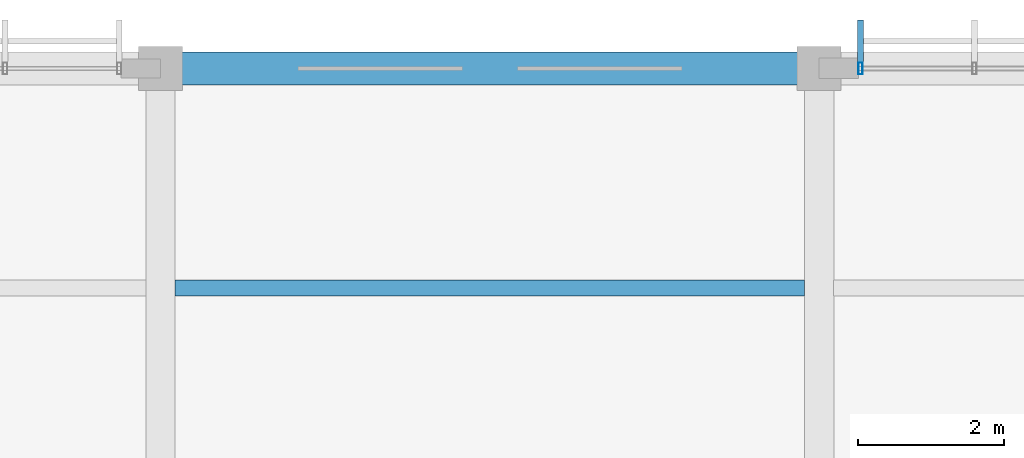
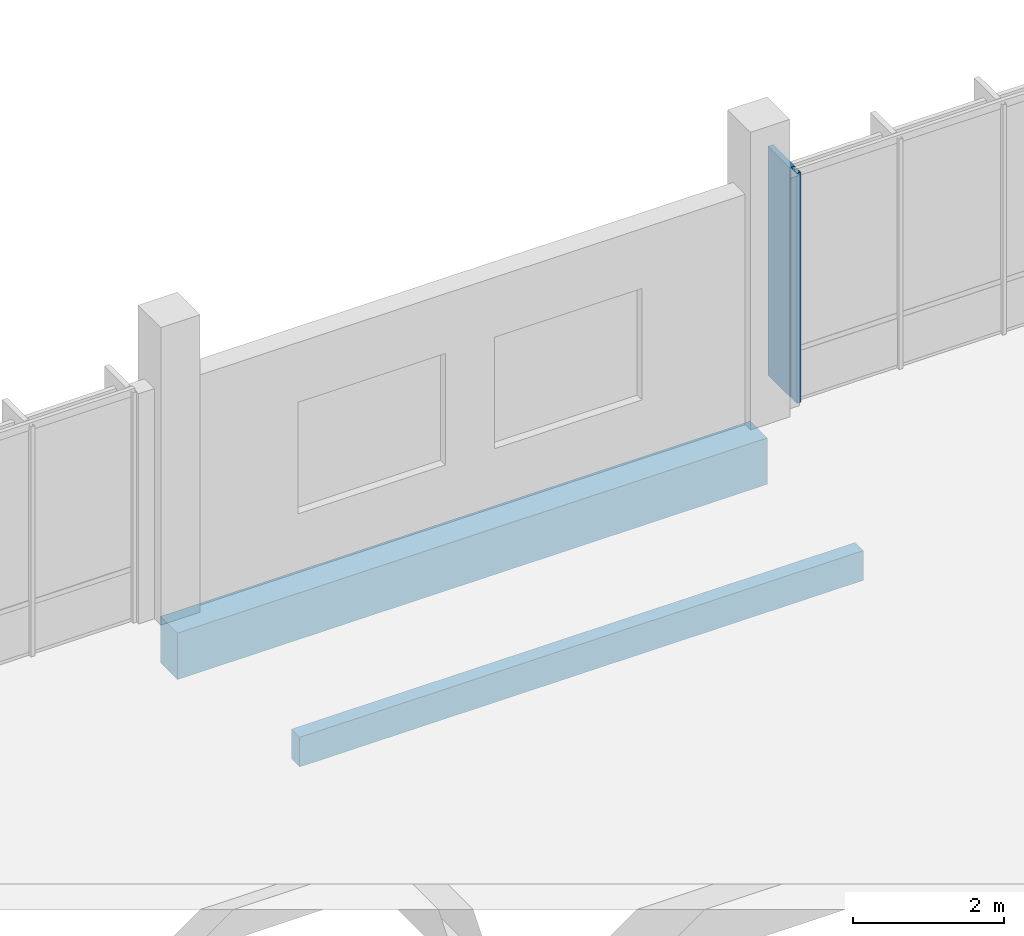
# One storey, part 126 of 177: 2 beams, 2 members, 1 element without a shape of its own.
"""IFC4 building model written with IfcOpenShell, lengths in metres."""

from ifc_helpers import new_model, si_unit, direction, frame, origin, origin_2d, place, context, subcontext, project, spatial, rectangle, hollow_rectangle, extrude, material, material_profile, profile_set, type_object, element, aggregate, save


model = new_model("IFC4")

# Units and contexts
model_context = context("Model", 3, precision=1e-05, world=origin(), true_north=direction((0.0, 1.0)))
body_context = subcontext(model_context, "Body", "Model", "MODEL_VIEW")
ifc_project = project(units=[si_unit("LENGTHUNIT", "METRE"), si_unit("AREAUNIT", "SQUARE_METRE"), si_unit("VOLUMEUNIT", "CUBIC_METRE"), si_unit("PLANEANGLEUNIT", "RADIAN"), si_unit("MASSUNIT", "GRAM", prefix="KILO")], contexts=[model_context])

# Site, building, storey
site_placement = place(None, origin())
site = spatial("IfcSite", under=ifc_project, at=site_placement, CompositionType="ELEMENT")
building_placement = place(site_placement, origin())
building = spatial("IfcBuilding", under=site, at=building_placement, Name="Chiffa Square Polytechnic", CompositionType="ELEMENT")
storey_placement = place(building_placement, frame((0.0, 0.0, 4.800048828125)))
storey = spatial("IfcBuildingStorey", under=building, at=storey_placement, Name="L01", CompositionType="ELEMENT", Elevation=4.800048828125)

# Beam
ifc_material_1 = material(Name="Concrete C35/45", Category="concrete")
ifc_material_profile_1 = material_profile(ifc_material_1, rectangle(XDim=0.449951171875, YDim=0.75, at=origin_2d()), Name="RC 450x750")
ifc_profile_set_1 = profile_set([ifc_material_profile_1], Name="Concrete C35/45")
beam_type_1 = type_object("IfcBeamType", Name="BM-RC-450X750", PredefinedType="BEAM", material=ifc_profile_set_1)
beam_1_placement = place(storey_placement, frame((93.60009765625, 130.800048828125, -0.655029296875), z_axis=(1.0, 0.0, 0.0), x_axis=(0.0, 1.0, 0.0)))
element("IfcBeam", 1, at=beam_1_placement, inside=storey, type_object=beam_type_1, Name="Primary floor girder BM-V5-L01-X-0936-1308", PredefinedType="BEAM", context=body_context, shape_type="SweptSolid", body=[
    extrude(rectangle(XDim=0.449951171875, YDim=0.75, at=origin_2d()), origin(), (0.0, 0.0, 1.0), 9.0),
])

# Curtain wall, members
ifc_material_2 = material(Name="Aluminium EN AW-6060 T66 and glulam shading", Category="wood")
curtain_wall_type = type_object("IfcCurtainWallType", Name="CW-VERT-360X380", PredefinedType="USERDEFINED", material=ifc_material_2)
curtain_wall_placement = place(storey_placement, origin())
curtain_wall = element("IfcCurtainWall", 2, at=curtain_wall_placement, inside=storey, type_object=curtain_wall_type, Name="Curtain wall CW-V5-L01-205", ObjectType="CURTAIN WALL", PredefinedType="USERDEFINED")
ifc_material_3 = material(Name="Aluminium EN AW-6060 T66", Category="aluminium")
ifc_material_profile_2 = material_profile(ifc_material_3, hollow_rectangle(XDim=0.06005859375, YDim=0.159912109375, WallThickness=0.00390625, at=origin_2d()), Name="ALU 60x160x4")
ifc_profile_set_2 = profile_set([ifc_material_profile_2], Name="Aluminium EN AW-6060 T66")
member_type_1 = type_object("IfcMemberType", Name="CWM-ALU-65X150", PredefinedType="MULLION", material=ifc_profile_set_2)
member_1_placement = place(storey_placement, frame((103.1650390625, 130.800048828125, 0.0), z_axis=(0.0, 0.0, 1.0), x_axis=(1.0, 0.0, 0.0)))
member_1 = element("IfcMember", 3, at=member_1_placement, type_object=member_type_1, Name="Curtain wall mullion CW-V5-L01-205-M05", PredefinedType="MULLION", context=body_context, shape_type="SweptSolid", body=[
    extrude(hollow_rectangle(XDim=0.06005859375, YDim=0.159912109375, WallThickness=0.00390625, at=origin_2d()), origin(), (0.0, 0.0, 1.0), 3.71484375),
])
ifc_material_4 = material(Name="Glulam GL28h", Category="wood")
ifc_material_profile_3 = material_profile(ifc_material_4, rectangle(XDim=0.080078125, YDim=0.580078125, at=origin_2d()), Name="GL28h 80x580")
ifc_profile_set_3 = profile_set([ifc_material_profile_3], Name="Glulam GL28h")
member_type_2 = type_object("IfcMemberType", Name="CWM-GL-80X580", PredefinedType="MULLION", material=ifc_profile_set_3)
member_2_placement = place(storey_placement, frame((103.1650390625, 131.172119140625, 0.010009765625), z_axis=(0.0, 0.0, 1.0), x_axis=(-1.0, 0.0, 0.0)))
member_2 = element("IfcMember", 4, at=member_2_placement, type_object=member_type_2, Name="Exterior glulam solar fin CW-V5-L01-205-FN05", PredefinedType="MULLION", context=body_context, shape_type="SweptSolid", body=[
    extrude(rectangle(XDim=0.080078125, YDim=0.580078125, at=origin_2d()), origin(), (0.0, 0.0, 1.0), 3.69482421875),
])
aggregate(curtain_wall, [member_1, member_2])

# Beam
ifc_material_profile_4 = material_profile(ifc_material_4, rectangle(XDim=0.219970703125, YDim=0.47998046875, at=origin_2d()), Name="GL28h 220x480")
ifc_profile_set_4 = profile_set([ifc_material_profile_4], Name="Glulam GL28h")
beam_type_2 = type_object("IfcBeamType", Name="JST-GL-220X480", PredefinedType="JOIST", material=ifc_profile_set_4)
beam_2_placement = place(storey_placement, frame((93.798095703125, 127.800048828125, -0.52001953125), z_axis=(1.0, 0.0, 0.0), x_axis=(0.0, 1.0, 0.0)))
element("IfcBeam", 5, at=beam_2_placement, inside=storey, type_object=beam_type_2, Name="Secondary floor joist JST-V5-L01-0936-1278", PredefinedType="JOIST", context=body_context, shape_type="SweptSolid", body=[
    extrude(rectangle(XDim=0.219970703125, YDim=0.47998046875, at=origin_2d()), origin(), (0.0, 0.0, 1.0), 8.60400390625),
])

save(model, "model.ifc")
